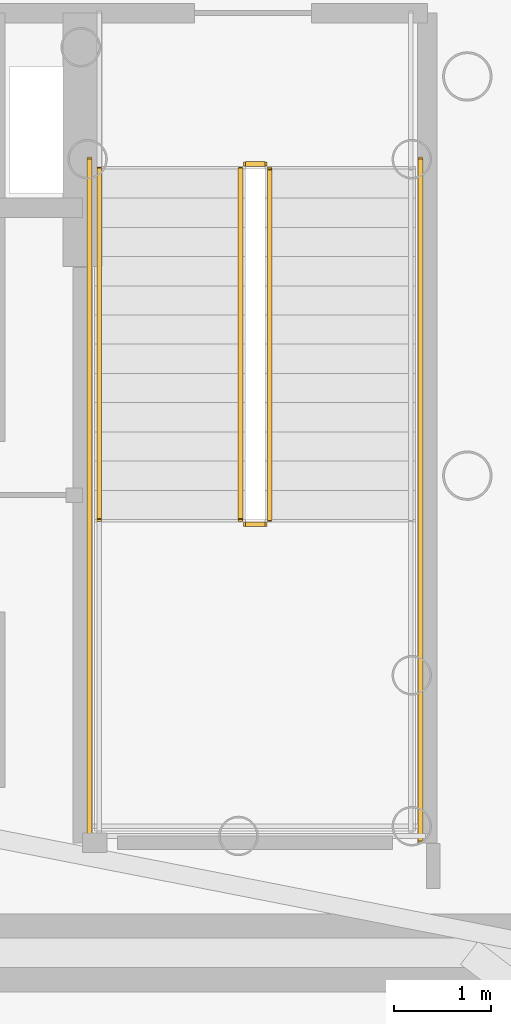
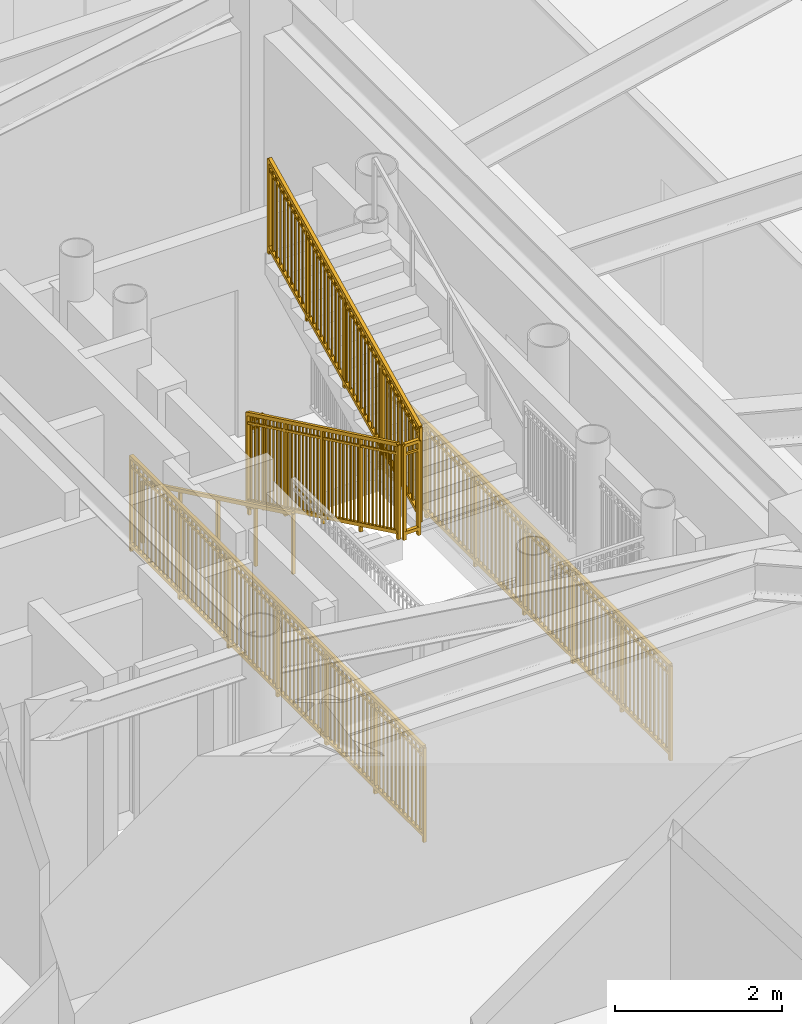
# One storey, part 17 of 19: 7 railings.
"""IFC4 building model written with IfcOpenShell, lengths in metres."""

from ifc_helpers import new_model, si_unit, direction, frame, origin, origin_2d, place, context, subcontext, project, spatial, rectangle, extrude, source, transform, mapped, material, type_object, element, save


model = new_model("IFC4")

# Units and contexts
model_context = context("Model", 3, precision=1e-05, world=origin(), true_north=direction((0.0, 1.0)))
body_context = subcontext(model_context, "Body", "Model", "MODEL_VIEW")
ifc_project = project(units=[si_unit("LENGTHUNIT", "METRE"), si_unit("AREAUNIT", "SQUARE_METRE"), si_unit("VOLUMEUNIT", "CUBIC_METRE"), si_unit("PLANEANGLEUNIT", "RADIAN"), si_unit("MASSUNIT", "GRAM", prefix="KILO")], contexts=[model_context])

# Site, building, storey
site_placement = place(None, origin())
site = spatial("IfcSite", under=ifc_project, at=site_placement, CompositionType="ELEMENT")
building_placement = place(site_placement, origin())
building = spatial("IfcBuilding", under=site, at=building_placement, Name="Linh Dai School and Residence Tower", CompositionType="ELEMENT")
storey_placement = place(building_placement, frame((0.0, 0.0, 119.699951171875)))
storey = spatial("IfcBuildingStorey", under=building, at=storey_placement, Name="L28", CompositionType="ELEMENT", Elevation=119.699951171875)

# Railings
ifc_material_1 = material(Name="Structural Steel S355JR", Category="steel")
railing_type_1 = type_object("IfcRailingType", Name="RL-ST-GUARD-1400", PredefinedType="GUARDRAIL", material=ifc_material_1)
shared_shape_1 = source(origin(), body_context, "Body", "SweptSolid", [
    extrude(rectangle(XDim=0.048095703125, YDim=0.048095703125, at=origin_2d()), frame((0.0, 0.0, 1.3759765625), z_axis=(0.0, 0.901262522062, 0.433273431364), x_axis=(-1.0, 0.0, 0.0)), (0.0, 0.0, 1.0), 3.994384765625),
    extrude(rectangle(XDim=0.048095703125, YDim=0.048095703125, at=origin_2d()), frame((0.0, 0.0, 0.10009765625), z_axis=(0.0, 0.901262522062, 0.433273431364), x_axis=(-1.0, 0.0, 0.0)), (0.0, 0.0, 1.0), 3.994384765625),
    extrude(rectangle(XDim=0.030029296875, YDim=0.030029296875, at=origin_2d()), frame((0.0, 0.0, 1.239990234375), z_axis=(0.0, 0.901262522062, 0.433273431364), x_axis=(-1.0, 0.0, 0.0)), (0.0, 0.0, 1.0), 3.994384765625),
    extrude(rectangle(XDim=0.02001953125, YDim=0.02001953125, at=origin_2d()), frame((0.0, 0.087890625, 0.142333984375)), (0.0, 0.0, 1.0), 1.251708984375),
    extrude(rectangle(XDim=0.02001953125, YDim=0.02001953125, at=origin_2d()), frame((0.0, 0.175537109375, 0.1845703125)), (0.0, 0.0, 1.0), 1.251708984375),
    extrude(rectangle(XDim=0.02001953125, YDim=0.02001953125, at=origin_2d()), frame((0.0, 0.263427734375, 0.226806640625)), (0.0, 0.0, 1.0), 1.251708984375),
    extrude(rectangle(XDim=0.02001953125, YDim=0.02001953125, at=origin_2d()), frame((0.0, 0.351318359375, 0.26904296875)), (0.0, 0.0, 1.0), 1.251708984375),
    extrude(rectangle(XDim=0.02001953125, YDim=0.02001953125, at=origin_2d()), frame((0.0, 0.43896484375, 0.311279296875)), (0.0, 0.0, 1.0), 1.251708984375),
    extrude(rectangle(XDim=0.02001953125, YDim=0.02001953125, at=origin_2d()), frame((0.0, 0.52685546875, 0.353271484375)), (0.0, 0.0, 1.0), 1.251708984375),
    extrude(rectangle(XDim=0.02001953125, YDim=0.02001953125, at=origin_2d()), frame((0.0, 0.61474609375, 0.3955078125)), (0.0, 0.0, 1.0), 1.251708984375),
    extrude(rectangle(XDim=0.02001953125, YDim=0.02001953125, at=origin_2d()), frame((0.0, 0.702392578125, 0.437744140625)), (0.0, 0.0, 1.0), 1.251708984375),
    extrude(rectangle(XDim=0.02001953125, YDim=0.02001953125, at=origin_2d()), frame((0.0, 0.790283203125, 0.47998046875)), (0.0, 0.0, 1.0), 1.251708984375),
    extrude(rectangle(XDim=0.02001953125, YDim=0.02001953125, at=origin_2d()), frame((0.0, 0.9658203125, 0.564453125)), (0.0, 0.0, 1.0), 1.251708984375),
    extrude(rectangle(XDim=0.02001953125, YDim=0.02001953125, at=origin_2d()), frame((0.0, 1.0537109375, 0.606689453125)), (0.0, 0.0, 1.0), 1.251708984375),
    extrude(rectangle(XDim=0.02001953125, YDim=0.02001953125, at=origin_2d()), frame((0.0, 1.1416015625, 0.64892578125)), (0.0, 0.0, 1.0), 1.251708984375),
    extrude(rectangle(XDim=0.02001953125, YDim=0.02001953125, at=origin_2d()), frame((0.0, 1.229248046875, 0.691162109375)), (0.0, 0.0, 1.0), 1.251708984375),
    extrude(rectangle(XDim=0.02001953125, YDim=0.02001953125, at=origin_2d()), frame((0.0, 1.317138671875, 0.7333984375)), (0.0, 0.0, 1.0), 1.251708984375),
    extrude(rectangle(XDim=0.02001953125, YDim=0.02001953125, at=origin_2d()), frame((0.0, 1.405029296875, 0.775390625)), (0.0, 0.0, 1.0), 1.251708984375),
    extrude(rectangle(XDim=0.02001953125, YDim=0.02001953125, at=origin_2d()), frame((0.0, 1.49267578125, 0.817626953125)), (0.0, 0.0, 1.0), 1.251708984375),
    extrude(rectangle(XDim=0.02001953125, YDim=0.02001953125, at=origin_2d()), frame((0.0, 1.58056640625, 0.85986328125)), (0.0, 0.0, 1.0), 1.251708984375),
    extrude(rectangle(XDim=0.02001953125, YDim=0.02001953125, at=origin_2d()), frame((0.0, 1.66845703125, 0.902099609375)), (0.0, 0.0, 1.0), 1.251708984375),
    extrude(rectangle(XDim=0.02001953125, YDim=0.02001953125, at=origin_2d()), frame((0.0, 1.756103515625, 0.9443359375)), (0.0, 0.0, 1.0), 1.251708984375),
    extrude(rectangle(XDim=0.02001953125, YDim=0.02001953125, at=origin_2d()), frame((0.0, 1.843994140625, 0.986572265625)), (0.0, 0.0, 1.0), 1.251708984375),
    extrude(rectangle(XDim=0.02001953125, YDim=0.02001953125, at=origin_2d()), frame((0.0, 1.931640625, 1.02880859375)), (0.0, 0.0, 1.0), 1.251708984375),
    extrude(rectangle(XDim=0.02001953125, YDim=0.02001953125, at=origin_2d()), frame((0.0, 2.01953125, 1.071044921875)), (0.0, 0.0, 1.0), 1.251708984375),
    extrude(rectangle(XDim=0.02001953125, YDim=0.02001953125, at=origin_2d()), frame((0.0, 2.107421875, 1.11328125)), (0.0, 0.0, 1.0), 1.251708984375),
    extrude(rectangle(XDim=0.02001953125, YDim=0.02001953125, at=origin_2d()), frame((0.0, 2.195068359375, 1.155517578125)), (0.0, 0.0, 1.0), 1.251708984375),
    extrude(rectangle(XDim=0.02001953125, YDim=0.02001953125, at=origin_2d()), frame((0.0, 2.282958984375, 1.197509765625)), (0.0, 0.0, 1.0), 1.251708984375),
    extrude(rectangle(XDim=0.02001953125, YDim=0.02001953125, at=origin_2d()), frame((0.0, 2.370849609375, 1.23974609375)), (0.0, 0.0, 1.0), 1.251708984375),
    extrude(rectangle(XDim=0.02001953125, YDim=0.02001953125, at=origin_2d()), frame((0.0, 2.45849609375, 1.281982421875)), (0.0, 0.0, 1.0), 1.251708984375),
    extrude(rectangle(XDim=0.02001953125, YDim=0.02001953125, at=origin_2d()), frame((0.0, 2.54638671875, 1.32421875)), (0.0, 0.0, 1.0), 1.251708984375),
    extrude(rectangle(XDim=0.02001953125, YDim=0.02001953125, at=origin_2d()), frame((0.0, 2.63427734375, 1.366455078125)), (0.0, 0.0, 1.0), 1.251708984375),
    extrude(rectangle(XDim=0.02001953125, YDim=0.02001953125, at=origin_2d()), frame((0.0, 2.809814453125, 1.450927734375)), (0.0, 0.0, 1.0), 1.251708984375),
    extrude(rectangle(XDim=0.02001953125, YDim=0.02001953125, at=origin_2d()), frame((0.0, 2.897705078125, 1.4931640625)), (0.0, 0.0, 1.0), 1.251708984375),
    extrude(rectangle(XDim=0.02001953125, YDim=0.02001953125, at=origin_2d()), frame((0.0, 2.9853515625, 1.535400390625)), (0.0, 0.0, 1.0), 1.251708984375),
    extrude(rectangle(XDim=0.02001953125, YDim=0.02001953125, at=origin_2d()), frame((0.0, 3.0732421875, 1.57763671875)), (0.0, 0.0, 1.0), 1.251708984375),
    extrude(rectangle(XDim=0.02001953125, YDim=0.02001953125, at=origin_2d()), frame((0.0, 3.1611328125, 1.61962890625)), (0.0, 0.0, 1.0), 1.251708984375),
    extrude(rectangle(XDim=0.02001953125, YDim=0.02001953125, at=origin_2d()), frame((0.0, 3.248779296875, 1.661865234375)), (0.0, 0.0, 1.0), 1.251708984375),
    extrude(rectangle(XDim=0.02001953125, YDim=0.02001953125, at=origin_2d()), frame((0.0, 3.336669921875, 1.7041015625)), (0.0, 0.0, 1.0), 1.251708984375),
    extrude(rectangle(XDim=0.02001953125, YDim=0.02001953125, at=origin_2d()), frame((0.0, 3.424560546875, 1.746337890625)), (0.0, 0.0, 1.0), 1.251708984375),
    extrude(rectangle(XDim=0.02001953125, YDim=0.02001953125, at=origin_2d()), frame((0.0, 3.51220703125, 1.78857421875)), (0.0, 0.0, 1.0), 1.251708984375),
    extrude(rectangle(XDim=0.0419921875, YDim=0.0419921875, at=origin_2d()), origin(), (0.0, 0.0, 1.0), 1.3759765625),
    extrude(rectangle(XDim=0.0419921875, YDim=0.0419921875, at=origin_2d()), frame((0.0, 0.89990234375, 0.4326171875)), (0.0, 0.0, 1.0), 1.3759765625),
    extrude(rectangle(XDim=0.0419921875, YDim=0.0419921875, at=origin_2d()), frame((0.0, 1.800048828125, 0.865234375)), (0.0, 0.0, 1.0), 1.3759765625),
    extrude(rectangle(XDim=0.0419921875, YDim=0.0419921875, at=origin_2d()), frame((0.0, 2.7001953125, 1.298095703125)), (0.0, 0.0, 1.0), 1.3759765625),
    extrude(rectangle(XDim=0.0419921875, YDim=0.0419921875, at=origin_2d()), frame((0.0, 3.60009765625, 1.730712890625)), (0.0, 0.0, 1.0), 1.3759765625),
])
railing_1_placement = place(storey_placement, frame((42.820068359375, 24.64990234375, 2.019287109375)))
element("IfcRailing", 1, at=railing_1_placement, inside=storey, type_object=railing_type_1, Name="L28 ST2 stair guard 6", PredefinedType="GUARDRAIL", context=body_context, shape_type="MappedRepresentation", body=[
    mapped(shared_shape_1, transform((0.0, 0.0, 0.0), x_axis=(1.0, 0.0, 0.0), y_axis=(0.0, 1.0, 0.0), z_axis=(0.0, 0.0, 1.0), scale=1.0)),
])
shared_shape_2 = source(origin(), body_context, "Body", "SweptSolid", [
    extrude(rectangle(XDim=0.048095703125, YDim=0.048095703125, at=origin_2d()), frame((0.0, 0.0, 1.3759765625), z_axis=(0.0, -0.901262522062, 0.433273431364), x_axis=(1.0, 0.0, 0.0)), (0.0, 0.0, 1.0), 3.994384765625),
    extrude(rectangle(XDim=0.048095703125, YDim=0.048095703125, at=origin_2d()), frame((0.0, 0.0, 0.10009765625), z_axis=(0.0, -0.901262522062, 0.433273431364), x_axis=(1.0, 0.0, 0.0)), (0.0, 0.0, 1.0), 3.994384765625),
    extrude(rectangle(XDim=0.030029296875, YDim=0.030029296875, at=origin_2d()), frame((0.0, 0.0, 1.239990234375), z_axis=(0.0, -0.901262522062, 0.433273431364), x_axis=(1.0, 0.0, 0.0)), (0.0, 0.0, 1.0), 3.994384765625),
    extrude(rectangle(XDim=0.02001953125, YDim=0.02001953125, at=origin_2d()), frame((0.0, -0.087890625, 0.142333984375)), (0.0, 0.0, 1.0), 1.251708984375),
    extrude(rectangle(XDim=0.02001953125, YDim=0.02001953125, at=origin_2d()), frame((0.0, -0.175537109375, 0.1845703125)), (0.0, 0.0, 1.0), 1.251708984375),
    extrude(rectangle(XDim=0.02001953125, YDim=0.02001953125, at=origin_2d()), frame((0.0, -0.263427734375, 0.226806640625)), (0.0, 0.0, 1.0), 1.251708984375),
    extrude(rectangle(XDim=0.02001953125, YDim=0.02001953125, at=origin_2d()), frame((0.0, -0.351318359375, 0.26904296875)), (0.0, 0.0, 1.0), 1.251708984375),
    extrude(rectangle(XDim=0.02001953125, YDim=0.02001953125, at=origin_2d()), frame((0.0, -0.43896484375, 0.311279296875)), (0.0, 0.0, 1.0), 1.251708984375),
    extrude(rectangle(XDim=0.02001953125, YDim=0.02001953125, at=origin_2d()), frame((0.0, -0.52685546875, 0.353271484375)), (0.0, 0.0, 1.0), 1.251708984375),
    extrude(rectangle(XDim=0.02001953125, YDim=0.02001953125, at=origin_2d()), frame((0.0, -0.61474609375, 0.3955078125)), (0.0, 0.0, 1.0), 1.251708984375),
    extrude(rectangle(XDim=0.02001953125, YDim=0.02001953125, at=origin_2d()), frame((0.0, -0.702392578125, 0.437744140625)), (0.0, 0.0, 1.0), 1.251708984375),
    extrude(rectangle(XDim=0.02001953125, YDim=0.02001953125, at=origin_2d()), frame((0.0, -0.790283203125, 0.47998046875)), (0.0, 0.0, 1.0), 1.251708984375),
    extrude(rectangle(XDim=0.02001953125, YDim=0.02001953125, at=origin_2d()), frame((0.0, -0.9658203125, 0.564453125)), (0.0, 0.0, 1.0), 1.251708984375),
    extrude(rectangle(XDim=0.02001953125, YDim=0.02001953125, at=origin_2d()), frame((0.0, -1.0537109375, 0.606689453125)), (0.0, 0.0, 1.0), 1.251708984375),
    extrude(rectangle(XDim=0.02001953125, YDim=0.02001953125, at=origin_2d()), frame((0.0, -1.1416015625, 0.64892578125)), (0.0, 0.0, 1.0), 1.251708984375),
    extrude(rectangle(XDim=0.02001953125, YDim=0.02001953125, at=origin_2d()), frame((0.0, -1.229248046875, 0.691162109375)), (0.0, 0.0, 1.0), 1.251708984375),
    extrude(rectangle(XDim=0.02001953125, YDim=0.02001953125, at=origin_2d()), frame((0.0, -1.317138671875, 0.7333984375)), (0.0, 0.0, 1.0), 1.251708984375),
    extrude(rectangle(XDim=0.02001953125, YDim=0.02001953125, at=origin_2d()), frame((0.0, -1.405029296875, 0.775390625)), (0.0, 0.0, 1.0), 1.251708984375),
    extrude(rectangle(XDim=0.02001953125, YDim=0.02001953125, at=origin_2d()), frame((0.0, -1.49267578125, 0.817626953125)), (0.0, 0.0, 1.0), 1.251708984375),
    extrude(rectangle(XDim=0.02001953125, YDim=0.02001953125, at=origin_2d()), frame((0.0, -1.58056640625, 0.85986328125)), (0.0, 0.0, 1.0), 1.251708984375),
    extrude(rectangle(XDim=0.02001953125, YDim=0.02001953125, at=origin_2d()), frame((0.0, -1.66845703125, 0.902099609375)), (0.0, 0.0, 1.0), 1.251708984375),
    extrude(rectangle(XDim=0.02001953125, YDim=0.02001953125, at=origin_2d()), frame((0.0, -1.756103515625, 0.9443359375)), (0.0, 0.0, 1.0), 1.251708984375),
    extrude(rectangle(XDim=0.02001953125, YDim=0.02001953125, at=origin_2d()), frame((0.0, -1.843994140625, 0.986572265625)), (0.0, 0.0, 1.0), 1.251708984375),
    extrude(rectangle(XDim=0.02001953125, YDim=0.02001953125, at=origin_2d()), frame((0.0, -1.931640625, 1.02880859375)), (0.0, 0.0, 1.0), 1.251708984375),
    extrude(rectangle(XDim=0.02001953125, YDim=0.02001953125, at=origin_2d()), frame((0.0, -2.01953125, 1.071044921875)), (0.0, 0.0, 1.0), 1.251708984375),
    extrude(rectangle(XDim=0.02001953125, YDim=0.02001953125, at=origin_2d()), frame((0.0, -2.107421875, 1.11328125)), (0.0, 0.0, 1.0), 1.251708984375),
    extrude(rectangle(XDim=0.02001953125, YDim=0.02001953125, at=origin_2d()), frame((0.0, -2.195068359375, 1.155517578125)), (0.0, 0.0, 1.0), 1.251708984375),
    extrude(rectangle(XDim=0.02001953125, YDim=0.02001953125, at=origin_2d()), frame((0.0, -2.282958984375, 1.197509765625)), (0.0, 0.0, 1.0), 1.251708984375),
    extrude(rectangle(XDim=0.02001953125, YDim=0.02001953125, at=origin_2d()), frame((0.0, -2.370849609375, 1.23974609375)), (0.0, 0.0, 1.0), 1.251708984375),
    extrude(rectangle(XDim=0.02001953125, YDim=0.02001953125, at=origin_2d()), frame((0.0, -2.45849609375, 1.281982421875)), (0.0, 0.0, 1.0), 1.251708984375),
    extrude(rectangle(XDim=0.02001953125, YDim=0.02001953125, at=origin_2d()), frame((0.0, -2.54638671875, 1.32421875)), (0.0, 0.0, 1.0), 1.251708984375),
    extrude(rectangle(XDim=0.02001953125, YDim=0.02001953125, at=origin_2d()), frame((0.0, -2.63427734375, 1.366455078125)), (0.0, 0.0, 1.0), 1.251708984375),
    extrude(rectangle(XDim=0.02001953125, YDim=0.02001953125, at=origin_2d()), frame((0.0, -2.809814453125, 1.450927734375)), (0.0, 0.0, 1.0), 1.251708984375),
    extrude(rectangle(XDim=0.02001953125, YDim=0.02001953125, at=origin_2d()), frame((0.0, -2.897705078125, 1.4931640625)), (0.0, 0.0, 1.0), 1.251708984375),
    extrude(rectangle(XDim=0.02001953125, YDim=0.02001953125, at=origin_2d()), frame((0.0, -2.9853515625, 1.535400390625)), (0.0, 0.0, 1.0), 1.251708984375),
    extrude(rectangle(XDim=0.02001953125, YDim=0.02001953125, at=origin_2d()), frame((0.0, -3.0732421875, 1.57763671875)), (0.0, 0.0, 1.0), 1.251708984375),
    extrude(rectangle(XDim=0.02001953125, YDim=0.02001953125, at=origin_2d()), frame((0.0, -3.1611328125, 1.61962890625)), (0.0, 0.0, 1.0), 1.251708984375),
    extrude(rectangle(XDim=0.02001953125, YDim=0.02001953125, at=origin_2d()), frame((0.0, -3.248779296875, 1.661865234375)), (0.0, 0.0, 1.0), 1.251708984375),
    extrude(rectangle(XDim=0.02001953125, YDim=0.02001953125, at=origin_2d()), frame((0.0, -3.336669921875, 1.7041015625)), (0.0, 0.0, 1.0), 1.251708984375),
    extrude(rectangle(XDim=0.02001953125, YDim=0.02001953125, at=origin_2d()), frame((0.0, -3.424560546875, 1.746337890625)), (0.0, 0.0, 1.0), 1.251708984375),
    extrude(rectangle(XDim=0.02001953125, YDim=0.02001953125, at=origin_2d()), frame((0.0, -3.51220703125, 1.78857421875)), (0.0, 0.0, 1.0), 1.251708984375),
    extrude(rectangle(XDim=0.0419921875, YDim=0.0419921875, at=origin_2d()), origin(), (0.0, 0.0, 1.0), 1.3759765625),
    extrude(rectangle(XDim=0.0419921875, YDim=0.0419921875, at=origin_2d()), frame((0.0, -0.89990234375, 0.4326171875)), (0.0, 0.0, 1.0), 1.3759765625),
    extrude(rectangle(XDim=0.0419921875, YDim=0.0419921875, at=origin_2d()), frame((0.0, -1.800048828125, 0.865234375)), (0.0, 0.0, 1.0), 1.3759765625),
    extrude(rectangle(XDim=0.0419921875, YDim=0.0419921875, at=origin_2d()), frame((0.0, -2.7001953125, 1.298095703125)), (0.0, 0.0, 1.0), 1.3759765625),
    extrude(rectangle(XDim=0.0419921875, YDim=0.0419921875, at=origin_2d()), frame((0.0, -3.60009765625, 1.730712890625)), (0.0, 0.0, 1.0), 1.3759765625),
])
railing_2_placement = place(storey_placement, frame((42.52001953125, 28.25, 0.144287109375)))
element("IfcRailing", 2, at=railing_2_placement, inside=storey, type_object=railing_type_1, Name="L28 ST2 stair guard 1", PredefinedType="GUARDRAIL", context=body_context, shape_type="MappedRepresentation", body=[
    mapped(shared_shape_2, transform((0.0, 0.0, 0.0), x_axis=(1.0, 0.0, 0.0), y_axis=(0.0, 1.0, 0.0), z_axis=(0.0, 0.0, 1.0), scale=1.0)),
])
ifc_material_2 = material(Name="Brushed Stainless Steel Handrail", Category="steel")
railing_type_2 = type_object("IfcRailingType", Name="RL-ST-HANDRAIL-900", PredefinedType="HANDRAIL", material=ifc_material_2)
shared_shape_3 = source(origin(), body_context, "Body", "SweptSolid", [
    extrude(rectangle(XDim=0.048095703125, YDim=0.048095703125, at=origin_2d()), frame((0.0, 0.0, 0.8759765625), z_axis=(0.0, -0.901262522062, 0.433273431364), x_axis=(1.0, 0.0, 0.0)), (0.0, 0.0, 1.0), 3.994384765625),
    extrude(rectangle(XDim=0.0419921875, YDim=0.0419921875, at=origin_2d()), origin(), (0.0, 0.0, 1.0), 0.8759765625),
    extrude(rectangle(XDim=0.0419921875, YDim=0.0419921875, at=origin_2d()), frame((0.0, -0.89990234375, 0.4326171875)), (0.0, 0.0, 1.0), 0.8759765625),
    extrude(rectangle(XDim=0.0419921875, YDim=0.0419921875, at=origin_2d()), frame((0.0, -1.800048828125, 0.865234375)), (0.0, 0.0, 1.0), 0.8759765625),
    extrude(rectangle(XDim=0.0419921875, YDim=0.0419921875, at=origin_2d()), frame((0.0, -2.7001953125, 1.298095703125)), (0.0, 0.0, 1.0), 0.8759765625),
    extrude(rectangle(XDim=0.0419921875, YDim=0.0419921875, at=origin_2d()), frame((0.0, -3.60009765625, 1.730712890625)), (0.0, 0.0, 1.0), 0.8759765625),
])
railing_3_placement = place(storey_placement, frame((41.070068359375, 28.25, 0.144287109375)))
element("IfcRailing", 3, at=railing_3_placement, inside=storey, type_object=railing_type_2, Name="L28 ST2 stair handrail 1", PredefinedType="HANDRAIL", context=body_context, shape_type="MappedRepresentation", body=[
    mapped(shared_shape_3, transform((0.0, 0.0, 0.0), x_axis=(1.0, 0.0, 0.0), y_axis=(0.0, 1.0, 0.0), z_axis=(0.0, 0.0, 1.0), scale=1.0)),
])
shared_shape_4 = source(origin(), body_context, "Body", "SweptSolid", [
    extrude(rectangle(XDim=0.048095703125, YDim=0.048095703125, at=origin_2d()), frame((0.0, 0.0, 1.3759765625), z_axis=(1.0, 0.0, 0.0), x_axis=(0.0, 1.0, 0.0)), (0.0, 0.0, 1.0), 0.199951171875),
    extrude(rectangle(XDim=0.048095703125, YDim=0.048095703125, at=origin_2d()), frame((0.0, 0.0, 0.10009765625), z_axis=(1.0, 0.0, 0.0), x_axis=(0.0, 1.0, 0.0)), (0.0, 0.0, 1.0), 0.199951171875),
    extrude(rectangle(XDim=0.030029296875, YDim=0.030029296875, at=origin_2d()), frame((0.0, 0.0, 1.239990234375), z_axis=(1.0, 0.0, 0.0), x_axis=(0.0, 1.0, 0.0)), (0.0, 0.0, 1.0), 0.199951171875),
    extrude(rectangle(XDim=0.0419921875, YDim=0.0419921875, at=origin_2d()), origin(), (0.0, 0.0, 1.0), 1.3759765625),
    extrude(rectangle(XDim=0.0419921875, YDim=0.0419921875, at=origin_2d()), frame((0.199951171875, 0.0, 0.0)), (0.0, 0.0, 1.0), 1.3759765625),
])
for number, where, name in (
    (4, (42.570068359375, 24.60009765625, 1.875), "L28 ST2 stair guard 2"),
    (5, (42.570068359375, 28.300048828125, 0.0), "L28 ST2 stair guard 7"),
):
    element("IfcRailing", number, at=place(storey_placement, frame(where)), inside=storey, type_object=railing_type_1, Name=name, PredefinedType="GUARDRAIL", context=body_context, shape_type="MappedRepresentation", body=[
        mapped(shared_shape_4, transform((0.0, 0.0, 0.0), x_axis=(1.0, 0.0, 0.0), y_axis=(0.0, 1.0, 0.0), z_axis=(0.0, 0.0, 1.0), scale=1.0)),
    ])
shared_shape_5 = source(origin(), body_context, "Body", "SweptSolid", [
    extrude(rectangle(XDim=0.048095703125, YDim=0.048095703125, at=origin_2d()), frame((0.0, 0.0, 1.3759765625), z_axis=(0.0, -1.0, 0.0), x_axis=(1.0, 0.0, 0.0)), (0.0, 0.0, 1.0), 7.0),
    extrude(rectangle(XDim=0.048095703125, YDim=0.048095703125, at=origin_2d()), frame((0.0, 0.0, 0.10009765625), z_axis=(0.0, -1.0, 0.0), x_axis=(1.0, 0.0, 0.0)), (0.0, 0.0, 1.0), 7.0),
    extrude(rectangle(XDim=0.030029296875, YDim=0.030029296875, at=origin_2d()), frame((0.0, 0.0, 1.239990234375), z_axis=(0.0, -1.0, 0.0), x_axis=(1.0, 0.0, 0.0)), (0.0, 0.0, 1.0), 7.0),
    extrude(rectangle(XDim=0.02001953125, YDim=0.02001953125, at=origin_2d()), frame((0.0, -0.09716796875, 0.10009765625)), (0.0, 0.0, 1.0), 1.251708984375),
    extrude(rectangle(XDim=0.02001953125, YDim=0.02001953125, at=origin_2d()), frame((0.0, -0.1943359375, 0.10009765625)), (0.0, 0.0, 1.0), 1.251708984375),
    extrude(rectangle(XDim=0.02001953125, YDim=0.02001953125, at=origin_2d()), frame((0.0, -0.291748046875, 0.10009765625)), (0.0, 0.0, 1.0), 1.251708984375),
    extrude(rectangle(XDim=0.02001953125, YDim=0.02001953125, at=origin_2d()), frame((0.0, -0.388916015625, 0.10009765625)), (0.0, 0.0, 1.0), 1.251708984375),
    extrude(rectangle(XDim=0.02001953125, YDim=0.02001953125, at=origin_2d()), frame((0.0, -0.486083984375, 0.10009765625)), (0.0, 0.0, 1.0), 1.251708984375),
    extrude(rectangle(XDim=0.02001953125, YDim=0.02001953125, at=origin_2d()), frame((0.0, -0.583251953125, 0.10009765625)), (0.0, 0.0, 1.0), 1.251708984375),
    extrude(rectangle(XDim=0.02001953125, YDim=0.02001953125, at=origin_2d()), frame((0.0, -0.6806640625, 0.10009765625)), (0.0, 0.0, 1.0), 1.251708984375),
    extrude(rectangle(XDim=0.02001953125, YDim=0.02001953125, at=origin_2d()), frame((0.0, -0.77783203125, 0.10009765625)), (0.0, 0.0, 1.0), 1.251708984375),
    extrude(rectangle(XDim=0.02001953125, YDim=0.02001953125, at=origin_2d()), frame((0.0, -0.875, 0.10009765625)), (0.0, 0.0, 1.0), 1.251708984375),
    extrude(rectangle(XDim=0.02001953125, YDim=0.02001953125, at=origin_2d()), frame((0.0, -0.97216796875, 0.10009765625)), (0.0, 0.0, 1.0), 1.251708984375),
    extrude(rectangle(XDim=0.02001953125, YDim=0.02001953125, at=origin_2d()), frame((0.0, -1.0693359375, 0.10009765625)), (0.0, 0.0, 1.0), 1.251708984375),
    extrude(rectangle(XDim=0.02001953125, YDim=0.02001953125, at=origin_2d()), frame((0.0, -1.263916015625, 0.10009765625)), (0.0, 0.0, 1.0), 1.251708984375),
    extrude(rectangle(XDim=0.02001953125, YDim=0.02001953125, at=origin_2d()), frame((0.0, -1.361083984375, 0.10009765625)), (0.0, 0.0, 1.0), 1.251708984375),
    extrude(rectangle(XDim=0.02001953125, YDim=0.02001953125, at=origin_2d()), frame((0.0, -1.458251953125, 0.10009765625)), (0.0, 0.0, 1.0), 1.251708984375),
    extrude(rectangle(XDim=0.02001953125, YDim=0.02001953125, at=origin_2d()), frame((0.0, -1.5556640625, 0.10009765625)), (0.0, 0.0, 1.0), 1.251708984375),
    extrude(rectangle(XDim=0.02001953125, YDim=0.02001953125, at=origin_2d()), frame((0.0, -1.65283203125, 0.10009765625)), (0.0, 0.0, 1.0), 1.251708984375),
    extrude(rectangle(XDim=0.02001953125, YDim=0.02001953125, at=origin_2d()), frame((0.0, -1.75, 0.10009765625)), (0.0, 0.0, 1.0), 1.251708984375),
    extrude(rectangle(XDim=0.02001953125, YDim=0.02001953125, at=origin_2d()), frame((0.0, -1.84716796875, 0.10009765625)), (0.0, 0.0, 1.0), 1.251708984375),
    extrude(rectangle(XDim=0.02001953125, YDim=0.02001953125, at=origin_2d()), frame((0.0, -1.9443359375, 0.10009765625)), (0.0, 0.0, 1.0), 1.251708984375),
    extrude(rectangle(XDim=0.02001953125, YDim=0.02001953125, at=origin_2d()), frame((0.0, -2.041748046875, 0.10009765625)), (0.0, 0.0, 1.0), 1.251708984375),
    extrude(rectangle(XDim=0.02001953125, YDim=0.02001953125, at=origin_2d()), frame((0.0, -2.138916015625, 0.10009765625)), (0.0, 0.0, 1.0), 1.251708984375),
    extrude(rectangle(XDim=0.02001953125, YDim=0.02001953125, at=origin_2d()), frame((0.0, -2.236083984375, 0.10009765625)), (0.0, 0.0, 1.0), 1.251708984375),
    extrude(rectangle(XDim=0.02001953125, YDim=0.02001953125, at=origin_2d()), frame((0.0, -2.4306640625, 0.10009765625)), (0.0, 0.0, 1.0), 1.251708984375),
    extrude(rectangle(XDim=0.02001953125, YDim=0.02001953125, at=origin_2d()), frame((0.0, -2.52783203125, 0.10009765625)), (0.0, 0.0, 1.0), 1.251708984375),
    extrude(rectangle(XDim=0.02001953125, YDim=0.02001953125, at=origin_2d()), frame((0.0, -2.625, 0.10009765625)), (0.0, 0.0, 1.0), 1.251708984375),
    extrude(rectangle(XDim=0.02001953125, YDim=0.02001953125, at=origin_2d()), frame((0.0, -2.72216796875, 0.10009765625)), (0.0, 0.0, 1.0), 1.251708984375),
    extrude(rectangle(XDim=0.02001953125, YDim=0.02001953125, at=origin_2d()), frame((0.0, -2.8193359375, 0.10009765625)), (0.0, 0.0, 1.0), 1.251708984375),
    extrude(rectangle(XDim=0.02001953125, YDim=0.02001953125, at=origin_2d()), frame((0.0, -2.916748046875, 0.10009765625)), (0.0, 0.0, 1.0), 1.251708984375),
    extrude(rectangle(XDim=0.02001953125, YDim=0.02001953125, at=origin_2d()), frame((0.0, -3.013916015625, 0.10009765625)), (0.0, 0.0, 1.0), 1.251708984375),
    extrude(rectangle(XDim=0.02001953125, YDim=0.02001953125, at=origin_2d()), frame((0.0, -3.111083984375, 0.10009765625)), (0.0, 0.0, 1.0), 1.251708984375),
    extrude(rectangle(XDim=0.02001953125, YDim=0.02001953125, at=origin_2d()), frame((0.0, -3.208251953125, 0.10009765625)), (0.0, 0.0, 1.0), 1.251708984375),
    extrude(rectangle(XDim=0.02001953125, YDim=0.02001953125, at=origin_2d()), frame((0.0, -3.3056640625, 0.10009765625)), (0.0, 0.0, 1.0), 1.251708984375),
    extrude(rectangle(XDim=0.02001953125, YDim=0.02001953125, at=origin_2d()), frame((0.0, -3.40283203125, 0.10009765625)), (0.0, 0.0, 1.0), 1.251708984375),
    extrude(rectangle(XDim=0.02001953125, YDim=0.02001953125, at=origin_2d()), frame((0.0, -3.59716796875, 0.10009765625)), (0.0, 0.0, 1.0), 1.251708984375),
    extrude(rectangle(XDim=0.02001953125, YDim=0.02001953125, at=origin_2d()), frame((0.0, -3.6943359375, 0.10009765625)), (0.0, 0.0, 1.0), 1.251708984375),
    extrude(rectangle(XDim=0.02001953125, YDim=0.02001953125, at=origin_2d()), frame((0.0, -3.791748046875, 0.10009765625)), (0.0, 0.0, 1.0), 1.251708984375),
    extrude(rectangle(XDim=0.02001953125, YDim=0.02001953125, at=origin_2d()), frame((0.0, -3.888916015625, 0.10009765625)), (0.0, 0.0, 1.0), 1.251708984375),
    extrude(rectangle(XDim=0.02001953125, YDim=0.02001953125, at=origin_2d()), frame((0.0, -3.986083984375, 0.10009765625)), (0.0, 0.0, 1.0), 1.251708984375),
    extrude(rectangle(XDim=0.02001953125, YDim=0.02001953125, at=origin_2d()), frame((0.0, -4.083251953125, 0.10009765625)), (0.0, 0.0, 1.0), 1.251708984375),
    extrude(rectangle(XDim=0.02001953125, YDim=0.02001953125, at=origin_2d()), frame((0.0, -4.1806640625, 0.10009765625)), (0.0, 0.0, 1.0), 1.251708984375),
    extrude(rectangle(XDim=0.02001953125, YDim=0.02001953125, at=origin_2d()), frame((0.0, -4.27783203125, 0.10009765625)), (0.0, 0.0, 1.0), 1.251708984375),
    extrude(rectangle(XDim=0.02001953125, YDim=0.02001953125, at=origin_2d()), frame((0.0, -4.375, 0.10009765625)), (0.0, 0.0, 1.0), 1.251708984375),
    extrude(rectangle(XDim=0.02001953125, YDim=0.02001953125, at=origin_2d()), frame((0.0, -4.47216796875, 0.10009765625)), (0.0, 0.0, 1.0), 1.251708984375),
    extrude(rectangle(XDim=0.02001953125, YDim=0.02001953125, at=origin_2d()), frame((0.0, -4.5693359375, 0.10009765625)), (0.0, 0.0, 1.0), 1.251708984375),
    extrude(rectangle(XDim=0.02001953125, YDim=0.02001953125, at=origin_2d()), frame((0.0, -4.763916015625, 0.10009765625)), (0.0, 0.0, 1.0), 1.251708984375),
    extrude(rectangle(XDim=0.02001953125, YDim=0.02001953125, at=origin_2d()), frame((0.0, -4.861083984375, 0.10009765625)), (0.0, 0.0, 1.0), 1.251708984375),
    extrude(rectangle(XDim=0.02001953125, YDim=0.02001953125, at=origin_2d()), frame((0.0, -4.958251953125, 0.10009765625)), (0.0, 0.0, 1.0), 1.251708984375),
    extrude(rectangle(XDim=0.02001953125, YDim=0.02001953125, at=origin_2d()), frame((0.0, -5.0556640625, 0.10009765625)), (0.0, 0.0, 1.0), 1.251708984375),
    extrude(rectangle(XDim=0.02001953125, YDim=0.02001953125, at=origin_2d()), frame((0.0, -5.15283203125, 0.10009765625)), (0.0, 0.0, 1.0), 1.251708984375),
    extrude(rectangle(XDim=0.02001953125, YDim=0.02001953125, at=origin_2d()), frame((0.0, -5.25, 0.10009765625)), (0.0, 0.0, 1.0), 1.251708984375),
    extrude(rectangle(XDim=0.02001953125, YDim=0.02001953125, at=origin_2d()), frame((0.0, -5.34716796875, 0.10009765625)), (0.0, 0.0, 1.0), 1.251708984375),
    extrude(rectangle(XDim=0.02001953125, YDim=0.02001953125, at=origin_2d()), frame((0.0, -5.4443359375, 0.10009765625)), (0.0, 0.0, 1.0), 1.251708984375),
    extrude(rectangle(XDim=0.02001953125, YDim=0.02001953125, at=origin_2d()), frame((0.0, -5.541748046875, 0.10009765625)), (0.0, 0.0, 1.0), 1.251708984375),
    extrude(rectangle(XDim=0.02001953125, YDim=0.02001953125, at=origin_2d()), frame((0.0, -5.638916015625, 0.10009765625)), (0.0, 0.0, 1.0), 1.251708984375),
    extrude(rectangle(XDim=0.02001953125, YDim=0.02001953125, at=origin_2d()), frame((0.0, -5.736083984375, 0.10009765625)), (0.0, 0.0, 1.0), 1.251708984375),
    extrude(rectangle(XDim=0.02001953125, YDim=0.02001953125, at=origin_2d()), frame((0.0, -5.9306640625, 0.10009765625)), (0.0, 0.0, 1.0), 1.251708984375),
    extrude(rectangle(XDim=0.02001953125, YDim=0.02001953125, at=origin_2d()), frame((0.0, -6.02783203125, 0.10009765625)), (0.0, 0.0, 1.0), 1.251708984375),
    extrude(rectangle(XDim=0.02001953125, YDim=0.02001953125, at=origin_2d()), frame((0.0, -6.125, 0.10009765625)), (0.0, 0.0, 1.0), 1.251708984375),
    extrude(rectangle(XDim=0.02001953125, YDim=0.02001953125, at=origin_2d()), frame((0.0, -6.22216796875, 0.10009765625)), (0.0, 0.0, 1.0), 1.251708984375),
    extrude(rectangle(XDim=0.02001953125, YDim=0.02001953125, at=origin_2d()), frame((0.0, -6.3193359375, 0.10009765625)), (0.0, 0.0, 1.0), 1.251708984375),
    extrude(rectangle(XDim=0.02001953125, YDim=0.02001953125, at=origin_2d()), frame((0.0, -6.416748046875, 0.10009765625)), (0.0, 0.0, 1.0), 1.251708984375),
    extrude(rectangle(XDim=0.02001953125, YDim=0.02001953125, at=origin_2d()), frame((0.0, -6.513916015625, 0.10009765625)), (0.0, 0.0, 1.0), 1.251708984375),
    extrude(rectangle(XDim=0.02001953125, YDim=0.02001953125, at=origin_2d()), frame((0.0, -6.611083984375, 0.10009765625)), (0.0, 0.0, 1.0), 1.251708984375),
    extrude(rectangle(XDim=0.02001953125, YDim=0.02001953125, at=origin_2d()), frame((0.0, -6.708251953125, 0.10009765625)), (0.0, 0.0, 1.0), 1.251708984375),
    extrude(rectangle(XDim=0.02001953125, YDim=0.02001953125, at=origin_2d()), frame((0.0, -6.8056640625, 0.10009765625)), (0.0, 0.0, 1.0), 1.251708984375),
    extrude(rectangle(XDim=0.02001953125, YDim=0.02001953125, at=origin_2d()), frame((0.0, -6.90283203125, 0.10009765625)), (0.0, 0.0, 1.0), 1.251708984375),
    extrude(rectangle(XDim=0.0419921875, YDim=0.0419921875, at=origin_2d()), origin(), (0.0, 0.0, 1.0), 1.3759765625),
    extrude(rectangle(XDim=0.0419921875, YDim=0.0419921875, at=origin_2d()), frame((0.0, -1.166748046875, 0.0)), (0.0, 0.0, 1.0), 1.3759765625),
    extrude(rectangle(XDim=0.0419921875, YDim=0.0419921875, at=origin_2d()), frame((0.0, -2.333251953125, 0.0)), (0.0, 0.0, 1.0), 1.3759765625),
    extrude(rectangle(XDim=0.0419921875, YDim=0.0419921875, at=origin_2d()), frame((0.0, -3.5, 0.0)), (0.0, 0.0, 1.0), 1.3759765625),
    extrude(rectangle(XDim=0.0419921875, YDim=0.0419921875, at=origin_2d()), frame((0.0, -4.666748046875, 0.0)), (0.0, 0.0, 1.0), 1.3759765625),
    extrude(rectangle(XDim=0.0419921875, YDim=0.0419921875, at=origin_2d()), frame((0.0, -5.833251953125, 0.0)), (0.0, 0.0, 1.0), 1.3759765625),
    extrude(rectangle(XDim=0.0419921875, YDim=0.0419921875, at=origin_2d()), frame((0.0, -7.0, 0.0)), (0.0, 0.0, 1.0), 1.3759765625),
])
for number, where, name in (
    (6, (40.969970703125, 28.35009765625, 0.0), "L28 ST2 stair guard 10"),
    (7, (44.3701171875, 28.35009765625, 0.0), "L28 ST2 stair guard 11"),
):
    element("IfcRailing", number, at=place(storey_placement, frame(where)), inside=storey, type_object=railing_type_1, Name=name, PredefinedType="GUARDRAIL", context=body_context, shape_type="MappedRepresentation", body=[
        mapped(shared_shape_5, transform((0.0, 0.0, 0.0), x_axis=(1.0, 0.0, 0.0), y_axis=(0.0, 1.0, 0.0), z_axis=(0.0, 0.0, 1.0), scale=1.0)),
    ])

save(model, "model.ifc")
